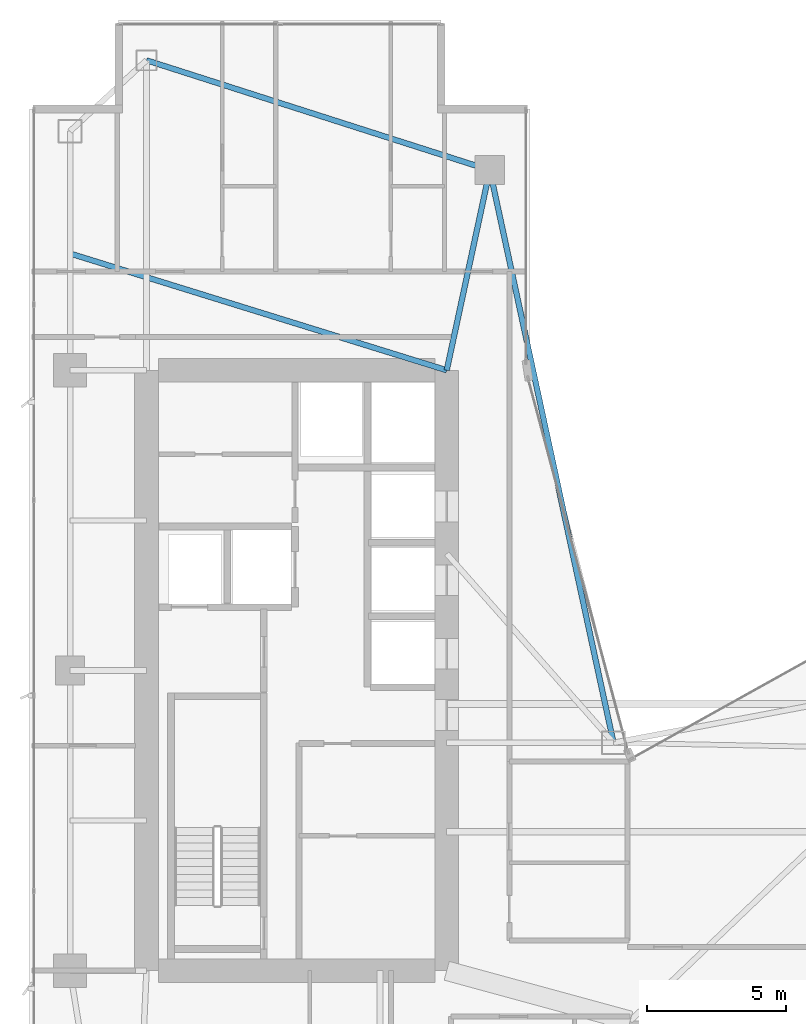
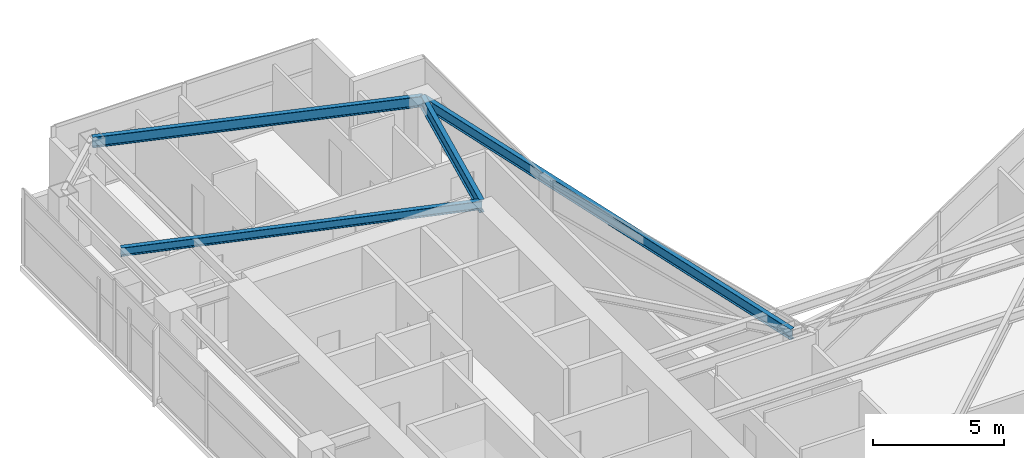
# One storey, part 17 of 28: 4 beams.
"""IFC4 building model written with IfcOpenShell, lengths in metres."""

from ifc_helpers import new_model, si_unit, direction, frame, origin, origin_2d, place, context, subcontext, project, spatial, i_section, extrude, material, material_profile, profile_set, type_object, element, save


model = new_model("IFC4")

# Units and contexts
model_context = context("Model", 3, precision=1e-05, world=origin(), true_north=direction((0.0, 1.0)))
body_context = subcontext(model_context, "Body", "Model", "MODEL_VIEW")
ifc_project = project(units=[si_unit("LENGTHUNIT", "METRE"), si_unit("AREAUNIT", "SQUARE_METRE"), si_unit("VOLUMEUNIT", "CUBIC_METRE"), si_unit("PLANEANGLEUNIT", "RADIAN"), si_unit("MASSUNIT", "GRAM", prefix="KILO")], contexts=[model_context])

# Site, building, storey
site_placement = place(None, origin())
site = spatial("IfcSite", under=ifc_project, at=site_placement, CompositionType="ELEMENT")
building_placement = place(site_placement, origin())
building = spatial("IfcBuilding", under=site, at=building_placement, Name="Calvorn Quay Hotel", CompositionType="ELEMENT")
storey_placement = place(building_placement, frame((0.0, 0.0, 156.10009765625)))
storey = spatial("IfcBuildingStorey", under=building, at=storey_placement, Name="L38", CompositionType="ELEMENT", Elevation=156.10009765625)

# Beams
ifc_material_1 = material(Name="Steel Q355B", Category="steel")
ifc_material_profile_1 = material_profile(ifc_material_1, i_section(OverallWidth=0.199951171875, OverallDepth=0.60009765625, WebThickness=0.010986328125, FlangeThickness=0.01708984375, FilletRadius=0.01806640625, at=origin_2d()), Name="HN600x200x11x17")
ifc_profile_set_1 = profile_set([ifc_material_profile_1], Name="Steel Q355B")
beam_type_1 = type_object("IfcBeamType", Name="BM-GIRD-TYP", PredefinedType="BEAM", material=ifc_profile_set_1)
beam_1_placement = place(storey_placement, frame((16.550048828125, 45.60009765625, 3.239990234375), z_axis=(-0.210457140491, -0.97760308511, 0.0), x_axis=(0.97760308511, -0.210457140491, 0.0)))
element("IfcBeam", 1, at=beam_1_placement, inside=storey, type_object=beam_type_1, Name="Beam BG-L38-W6", PredefinedType="BEAM", context=body_context, shape_type="SweptSolid", body=[
    extrude(i_section(OverallWidth=0.199951171875, OverallDepth=0.60009765625, WebThickness=0.010986328125, FlangeThickness=0.01708984375, FilletRadius=0.01806640625, at=origin_2d()), origin(), (0.0, 0.0, 1.0), 7.365234375),
])
ifc_material_2 = material(Name="Steel Q355B", Category="steel")
ifc_material_profile_2 = material_profile(ifc_material_2, i_section(OverallWidth=0.199951171875, OverallDepth=0.39990234375, WebThickness=0.008056640625, FlangeThickness=0.012939453125, FilletRadius=0.01611328125, at=origin_2d()), Name="HN400x200x8x13")
ifc_profile_set_2 = profile_set([ifc_material_profile_2], Name="Steel Q355B")
beam_type_2 = type_object("IfcBeamType", Name="BM-JOIST-TYP", PredefinedType="JOIST", material=ifc_profile_set_2)
beam_2_placement = place(storey_placement, frame((1.449951171875, 42.60009765625, 3.33984375), z_axis=(0.955163702122, -0.296078202759, 0.0), x_axis=(0.296078202759, 0.955163702122, 0.0)))
element("IfcBeam", 2, at=beam_2_placement, inside=storey, type_object=beam_type_2, Name="Beam BJ-L38-W2", PredefinedType="JOIST", context=body_context, shape_type="SweptSolid", body=[
    extrude(i_section(OverallWidth=0.199951171875, OverallDepth=0.39990234375, WebThickness=0.008056640625, FlangeThickness=0.012939453125, FilletRadius=0.01611328125, at=origin_2d()), origin(), (0.0, 0.0, 1.0), 14.18603515625),
])
ifc_material_3 = material(Name="Steel Q355B", Category="steel")
ifc_material_profile_3 = material_profile(ifc_material_3, i_section(OverallWidth=0.199951171875, OverallDepth=0.5, WebThickness=0.010009765625, FlangeThickness=0.01611328125, FilletRadius=0.01611328125, at=origin_2d()), Name="HN500x200x10x16")
ifc_profile_set_3 = profile_set([ifc_material_profile_3], Name="Steel Q355B")
beam_type_3 = type_object("IfcBeamType", Name="BM-SPANDREL-Z1", PredefinedType="SPANDREL", material=ifc_profile_set_3)
beam_3_placement = place(storey_placement, frame((4.199951171875, 49.550048828125, 3.289794921875), z_axis=(0.952470702374, -0.304630203885, 0.0), x_axis=(0.304630203885, 0.952470702374, 0.0)))
element("IfcBeam", 3, at=beam_3_placement, inside=storey, type_object=beam_type_3, Name="Beam BSP-L38-W6", PredefinedType="SPANDREL", context=body_context, shape_type="SweptSolid", body=[
    extrude(i_section(OverallWidth=0.199951171875, OverallDepth=0.5, WebThickness=0.010009765625, FlangeThickness=0.01611328125, FilletRadius=0.01611328125, at=origin_2d()), origin(), (0.0, 0.0, 1.0), 12.96630859375),
])
beam_4_placement = place(storey_placement, frame((16.550048828125, 45.60009765625, 3.289794921875), z_axis=(0.211145848376, -0.977454567084, 0.0), x_axis=(0.977454567084, 0.211145848376, 0.0)))
element("IfcBeam", 4, at=beam_4_placement, inside=storey, type_object=beam_type_3, Name="Beam BSP-L38-W7", PredefinedType="SPANDREL", context=body_context, shape_type="SweptSolid", body=[
    extrude(i_section(OverallWidth=0.199951171875, OverallDepth=0.5, WebThickness=0.010009765625, FlangeThickness=0.01611328125, FilletRadius=0.01611328125, at=origin_2d()), origin(), (0.0, 0.0, 1.0), 21.0751953125),
])

save(model, "model.ifc")
